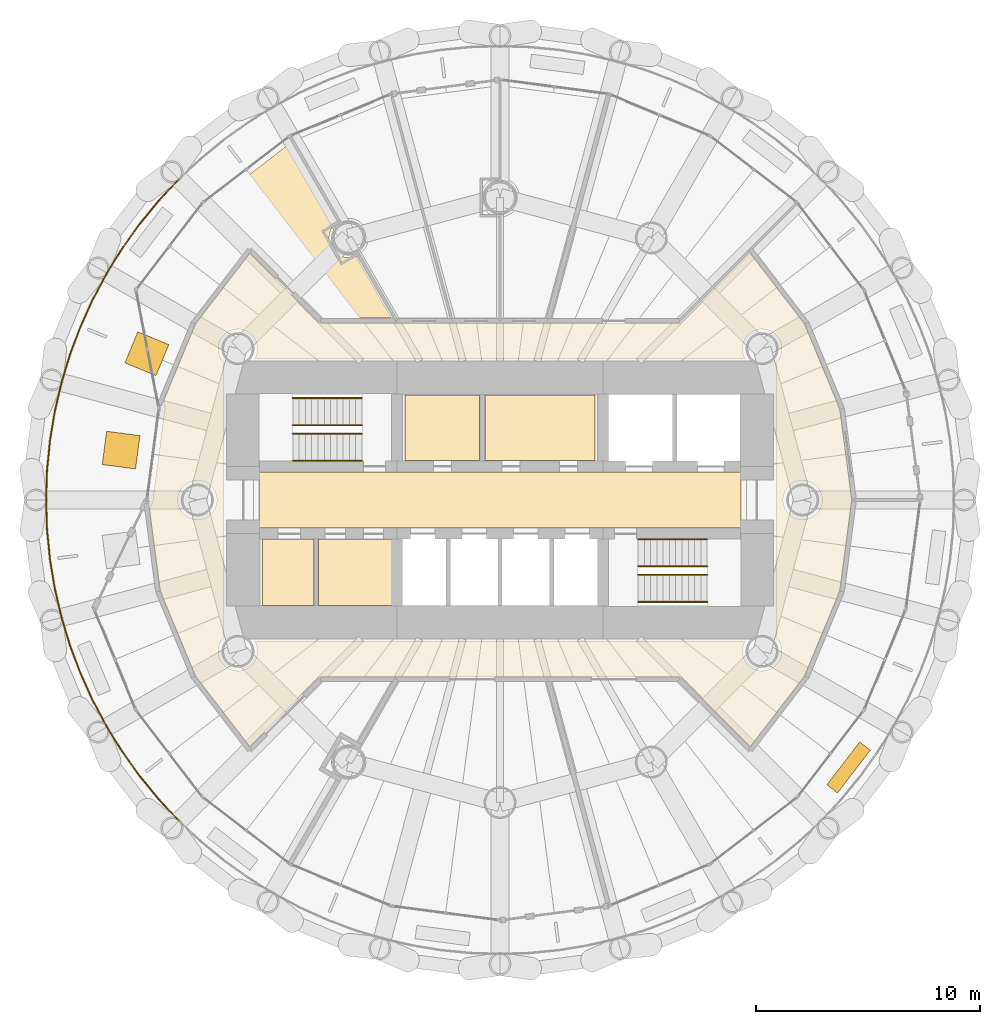
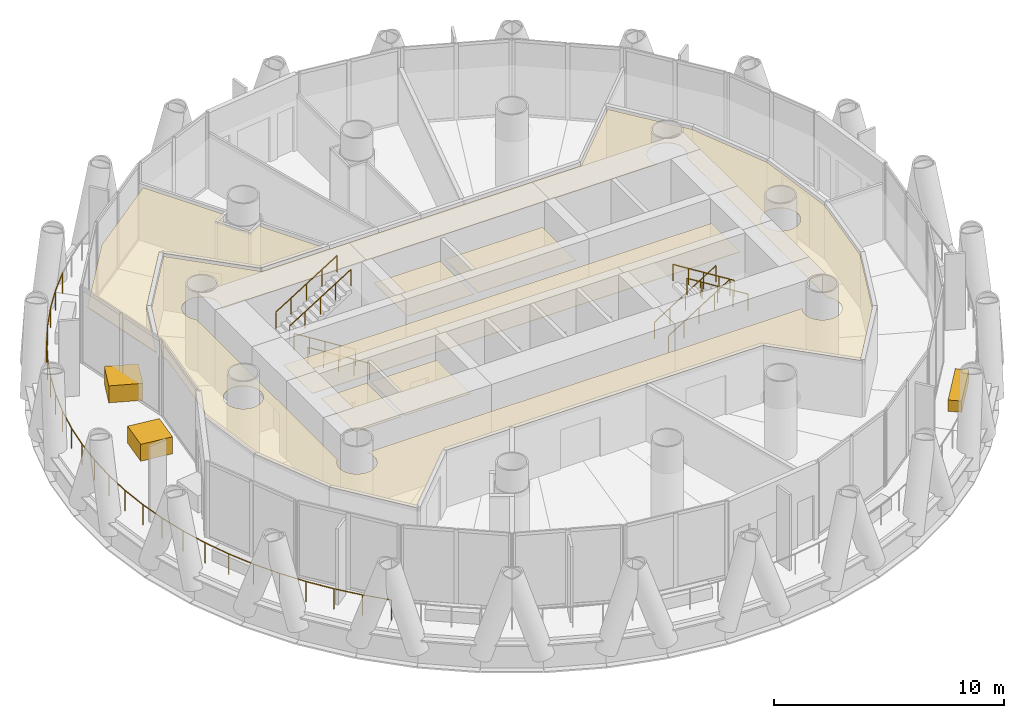
# One storey, part 13 of 15: 10 coverings, 9 railings.
"""IFC4 building model written with IfcOpenShell, lengths in metres."""

from ifc_helpers import new_model, si_unit, direction, frame, origin, origin_2d, place, context, subcontext, project, spatial, polyline, rectangle, circle, outline, extrude, material, layer, layer_set, type_object, element, save


model = new_model("IFC4")

# Units and contexts
model_context = context("Model", 3, precision=1e-05, world=origin(), true_north=direction((0.0, 1.0)))
body_context = subcontext(model_context, "Body", "Model", "MODEL_VIEW")
ifc_project = project(units=[si_unit("LENGTHUNIT", "METRE"), si_unit("AREAUNIT", "SQUARE_METRE"), si_unit("VOLUMEUNIT", "CUBIC_METRE"), si_unit("PLANEANGLEUNIT", "RADIAN"), si_unit("MASSUNIT", "GRAM", prefix="KILO")], contexts=[model_context])

# Site, building, storey
site_placement = place(None, origin())
site = spatial("IfcSite", under=ifc_project, at=site_placement, CompositionType="ELEMENT")
building_placement = place(site_placement, origin())
building = spatial("IfcBuilding", under=site, at=building_placement, Name="Qaws Media Tower", CompositionType="ELEMENT")
storey_placement = place(building_placement, frame((0.0, 0.0, 273.800048828125)))
storey = spatial("IfcBuildingStorey", under=building, at=storey_placement, Name="L63", CompositionType="ELEMENT", Elevation=273.800048828125)

# Covering
ifc_material_1 = material(Name="40 perforated acoustic panels with mineral wool backing, suspended", Category="mineral fibre")
ifc_layer_1 = layer(ifc_material_1, 0.0400390625)
ifc_layer_set_1 = layer_set([ifc_layer_1], Name="Acoustic panel ceiling 40")
covering_type_1 = type_object("IfcCoveringType", Name="Acoustic panel ceiling 40", PredefinedType="CEILING", material=ifc_layer_set_1)
covering_1_placement = place(storey_placement, frame((0.0, 0.0, 2.849853515625)))
element("IfcCovering", 1, at=covering_1_placement, inside=storey, type_object=covering_type_1, Name="CL3 ceiling L63-07 VIP interview room", PredefinedType="CEILING", context=body_context, shape_type="SweptSolid", body=[
    extrude(outline(polyline([(46.928955078125, 63.071044921875), (50.66748046875, 65.939697265625), (52.720703125, 62.383056640625), (52.634033203125, 62.30712890625), (52.55908203125, 62.2216796875), (52.49560546875, 62.126708984375), (52.4453125, 62.024658203125), (52.40869140625, 61.916748046875), (52.386474609375, 61.804931640625), (52.37890625, 61.69140625), (52.386474609375, 61.57763671875), (52.40869140625, 61.4658203125), (52.4453125, 61.35791015625), (52.49560546875, 61.255859375), (52.55908203125, 61.1611328125), (52.634033203125, 61.075439453125), (52.7197265625, 61.000244140625), (52.814453125, 60.93701171875), (52.916748046875, 60.88671875), (53.024658203125, 60.85009765625), (53.13623046875, 60.827880859375), (53.25, 60.8203125), (53.36376953125, 60.827880859375), (53.475341796875, 60.85009765625), (53.58447265625, 60.88720703125), (55.186279296875, 58.112548828125), (52.046630859375, 58.112548828125), (48.816650390625, 61.342529296875), (46.218505859375, 57.956787109375), (44.9130859375, 54.80517578125), (44.042236328125, 59.308837890625), (46.928955078125, 63.071044921875)])), origin(), (0.0, 0.0, 1.0), 0.0400390625),
])

# Railing
ifc_material_2 = material(Name="Stainless steel and glass guard", Category="steel")
railing_type_1 = type_object("IfcRailingType", Name="Balcony guard 1100", PredefinedType="GUARDRAIL", material=ifc_material_2)
railing_placement = place(storey_placement, frame((45.68115234375, 64.31884765625, 0.0)))
element("IfcRailing", 2, at=railing_placement, inside=storey, type_object=railing_type_1, Name="GR1 balcony guard L63-2", PredefinedType="GUARDRAIL", context=body_context, shape_type="SweptSolid", body=[
    extrude(circle(Radius=0.02392578125, at=origin_2d()), frame((0.0, 0.0, 1.076171875), z_axis=(-0.683702082512, -0.729761236548, 0.0), x_axis=(0.729761236548, -0.683702082512, 0.0)), (0.0, 0.0, 1.0), 1.3251953125),
    extrude(circle(Radius=0.02392578125, at=origin_2d()), frame((-0.906005859375, -0.967041015625, 1.076171875), z_axis=(-0.634330728024, -0.773061787624, 0.0), x_axis=(0.773061787624, -0.634330728024, 0.0)), (0.0, 0.0, 1.0), 1.3251953125),
    extrude(circle(Radius=0.02392578125, at=origin_2d()), frame((-1.74658203125, -1.991455078125, 1.076171875), z_axis=(-0.582405323972, -0.812898541399, 0.0), x_axis=(0.812898541399, -0.582405323972, 0.0)), (0.0, 0.0, 1.0), 1.324951171875),
    extrude(circle(Radius=0.02392578125, at=origin_2d()), frame((-2.518310546875, -3.068603515625, 1.076171875), z_axis=(-0.52819268128, -0.849124544129, 0.0), x_axis=(0.849124544129, -0.52819268128, 0.0)), (0.0, 0.0, 1.0), 1.3251953125),
    extrude(circle(Radius=0.02392578125, at=origin_2d()), frame((-3.21826171875, -4.19384765625, 1.076171875), z_axis=(-0.471295733288, -0.881975244429, 0.0), x_axis=(0.881975244429, -0.471295733288, 0.0)), (0.0, 0.0, 1.0), 1.3251953125),
    extrude(circle(Radius=0.02392578125, at=origin_2d()), frame((-3.8427734375, -5.362548828125, 1.076171875), z_axis=(-0.412692163403, -0.910870560654, 0.0), x_axis=(0.910870560654, -0.412692163403, 0.0)), (0.0, 0.0, 1.0), 1.3251953125),
    extrude(circle(Radius=0.02392578125, at=origin_2d()), frame((-4.3896484375, -6.569580078125, 1.076171875), z_axis=(-0.352253822045, -0.935904506269, 0.0), x_axis=(0.935904506269, -0.352253822045, 0.0)), (0.0, 0.0, 1.0), 1.3251953125),
    extrude(circle(Radius=0.02392578125, at=origin_2d()), frame((-4.8564453125, -7.809814453125, 1.076171875), z_axis=(-0.290355083771, -0.956918975321, 0.0), x_axis=(0.956918975321, -0.290355083771, 0.0)), (0.0, 0.0, 1.0), 1.3251953125),
    extrude(circle(Radius=0.02392578125, at=origin_2d()), frame((-5.2412109375, -9.077880859375, 1.076171875), z_axis=(-0.227025724606, -0.973888761804, 0.0), x_axis=(0.973888761804, -0.227025724606, 0.0)), (0.0, 0.0, 1.0), 1.324951171875),
    extrude(circle(Radius=0.02392578125, at=origin_2d()), frame((-5.5419921875, -10.3681640625, 1.076171875), z_axis=(-0.162845409119, -0.986651596425, 0.0), x_axis=(0.986651596425, -0.162845409119, 0.0)), (0.0, 0.0, 1.0), 1.3251953125),
    extrude(circle(Radius=0.02392578125, at=origin_2d()), frame((-5.7578125, -11.67578125, 1.076171875), z_axis=(-0.098025887106, -0.995183865151, 0.0), x_axis=(0.995183865151, -0.098025887106, 0.0)), (0.0, 0.0, 1.0), 1.324951171875),
    extrude(circle(Radius=0.02392578125, at=origin_2d()), frame((-5.8876953125, -12.994384765625, 1.076171875), z_axis=(-0.032793412525, -0.999462151407, 0.0), x_axis=(0.999462151407, -0.032793412525, 0.0)), (0.0, 0.0, 1.0), 1.3251953125),
    extrude(circle(Radius=0.02392578125, at=origin_2d()), frame((-5.93115234375, -14.31884765625, 1.076171875), z_axis=(0.032793412525, -0.999462151407, 0.0), x_axis=(0.999462151407, 0.032793412525, 0.0)), (0.0, 0.0, 1.0), 1.3251953125),
    extrude(circle(Radius=0.02392578125, at=origin_2d()), frame((-5.8876953125, -15.643310546875, 1.076171875), z_axis=(0.098025887106, -0.995183865151, 0.0), x_axis=(0.995183865151, 0.098025887106, 0.0)), (0.0, 0.0, 1.0), 1.324951171875),
    extrude(circle(Radius=0.02392578125, at=origin_2d()), frame((-5.7578125, -16.9619140625, 1.076171875), z_axis=(0.162845409119, -0.986651596425, 0.0), x_axis=(0.986651596425, 0.162845409119, 0.0)), (0.0, 0.0, 1.0), 1.3251953125),
    extrude(circle(Radius=0.02392578125, at=origin_2d()), frame((-5.5419921875, -18.26953125, 1.076171875), z_axis=(0.227025724606, -0.973888761804, 0.0), x_axis=(0.973888761804, 0.227025724606, 0.0)), (0.0, 0.0, 1.0), 1.324951171875),
    extrude(circle(Radius=0.02392578125, at=origin_2d()), frame((-5.2412109375, -19.559814453125, 1.076171875), z_axis=(0.290355083771, -0.956918975321, 0.0), x_axis=(0.956918975321, 0.290355083771, 0.0)), (0.0, 0.0, 1.0), 1.3251953125),
    extrude(circle(Radius=0.02392578125, at=origin_2d()), frame((-4.8564453125, -20.827880859375, 1.076171875), z_axis=(0.352253822045, -0.935904506269, 0.0), x_axis=(0.935904506269, 0.352253822045, 0.0)), (0.0, 0.0, 1.0), 1.3251953125),
    extrude(circle(Radius=0.02392578125, at=origin_2d()), frame((-4.3896484375, -22.068115234375, 1.076171875), z_axis=(0.412692163403, -0.910870560654, 0.0), x_axis=(0.910870560654, 0.412692163403, 0.0)), (0.0, 0.0, 1.0), 1.3251953125),
    extrude(circle(Radius=0.02392578125, at=origin_2d()), frame((-3.8427734375, -23.275146484375, 1.076171875), z_axis=(0.471295733288, -0.881975244429, 0.0), x_axis=(0.881975244429, 0.471295733288, 0.0)), (0.0, 0.0, 1.0), 1.3251953125),
    extrude(circle(Radius=0.02392578125, at=origin_2d()), frame((-3.21826171875, -24.44384765625, 1.076171875), z_axis=(0.52819268128, -0.849124544129, 0.0), x_axis=(0.849124544129, 0.52819268128, 0.0)), (0.0, 0.0, 1.0), 1.3251953125),
    extrude(circle(Radius=0.02392578125, at=origin_2d()), frame((-2.518310546875, -25.569091796875, 1.076171875), z_axis=(0.582405323972, -0.812898541399, 0.0), x_axis=(0.812898541399, 0.582405323972, 0.0)), (0.0, 0.0, 1.0), 1.324951171875),
    extrude(circle(Radius=0.02392578125, at=origin_2d()), frame((-1.74658203125, -26.646240234375, 1.076171875), z_axis=(0.634330728024, -0.773061787624, 0.0), x_axis=(0.773061787624, 0.634330728024, 0.0)), (0.0, 0.0, 1.0), 1.3251953125),
    extrude(circle(Radius=0.02392578125, at=origin_2d()), frame((-0.906005859375, -27.670654296875, 1.076171875), z_axis=(0.683702082512, -0.729761236548, 0.0), x_axis=(0.729761236548, 0.683702082512, 0.0)), (0.0, 0.0, 1.0), 1.3251953125),
    extrude(circle(Radius=0.02099609375, at=origin_2d()), origin(), (0.0, 0.0, 1.0), 1.052001953125),
    extrude(circle(Radius=0.02099609375, at=origin_2d()), frame((-0.906005859375, -0.967041015625, 0.0)), (0.0, 0.0, 1.0), 1.052001953125),
    extrude(circle(Radius=0.02099609375, at=origin_2d()), frame((-1.74658203125, -1.991455078125, 0.0)), (0.0, 0.0, 1.0), 1.052001953125),
    extrude(circle(Radius=0.02099609375, at=origin_2d()), frame((-2.518310546875, -3.068603515625, 0.0)), (0.0, 0.0, 1.0), 1.052001953125),
    extrude(circle(Radius=0.02099609375, at=origin_2d()), frame((-3.21826171875, -4.19384765625, 0.0)), (0.0, 0.0, 1.0), 1.052001953125),
    extrude(circle(Radius=0.02099609375, at=origin_2d()), frame((-3.8427734375, -5.362548828125, 0.0)), (0.0, 0.0, 1.0), 1.052001953125),
    extrude(circle(Radius=0.02099609375, at=origin_2d()), frame((-4.3896484375, -6.569580078125, 0.0)), (0.0, 0.0, 1.0), 1.052001953125),
    extrude(circle(Radius=0.02099609375, at=origin_2d()), frame((-4.8564453125, -7.809814453125, 0.0)), (0.0, 0.0, 1.0), 1.052001953125),
    extrude(circle(Radius=0.02099609375, at=origin_2d()), frame((-5.2412109375, -9.077880859375, 0.0)), (0.0, 0.0, 1.0), 1.052001953125),
    extrude(circle(Radius=0.02099609375, at=origin_2d()), frame((-5.5419921875, -10.3681640625, 0.0)), (0.0, 0.0, 1.0), 1.052001953125),
    extrude(circle(Radius=0.02099609375, at=origin_2d()), frame((-5.7578125, -11.67578125, 0.0)), (0.0, 0.0, 1.0), 1.052001953125),
    extrude(circle(Radius=0.02099609375, at=origin_2d()), frame((-5.8876953125, -12.994384765625, 0.0)), (0.0, 0.0, 1.0), 1.052001953125),
    extrude(circle(Radius=0.02099609375, at=origin_2d()), frame((-5.93115234375, -14.31884765625, 0.0)), (0.0, 0.0, 1.0), 1.052001953125),
    extrude(circle(Radius=0.02099609375, at=origin_2d()), frame((-5.8876953125, -15.643310546875, 0.0)), (0.0, 0.0, 1.0), 1.052001953125),
    extrude(circle(Radius=0.02099609375, at=origin_2d()), frame((-5.7578125, -16.9619140625, 0.0)), (0.0, 0.0, 1.0), 1.052001953125),
    extrude(circle(Radius=0.02099609375, at=origin_2d()), frame((-5.5419921875, -18.26953125, 0.0)), (0.0, 0.0, 1.0), 1.052001953125),
    extrude(circle(Radius=0.02099609375, at=origin_2d()), frame((-5.2412109375, -19.559814453125, 0.0)), (0.0, 0.0, 1.0), 1.052001953125),
    extrude(circle(Radius=0.02099609375, at=origin_2d()), frame((-4.8564453125, -20.827880859375, 0.0)), (0.0, 0.0, 1.0), 1.052001953125),
    extrude(circle(Radius=0.02099609375, at=origin_2d()), frame((-4.3896484375, -22.068115234375, 0.0)), (0.0, 0.0, 1.0), 1.052001953125),
    extrude(circle(Radius=0.02099609375, at=origin_2d()), frame((-3.8427734375, -23.275146484375, 0.0)), (0.0, 0.0, 1.0), 1.052001953125),
    extrude(circle(Radius=0.02099609375, at=origin_2d()), frame((-3.21826171875, -24.44384765625, 0.0)), (0.0, 0.0, 1.0), 1.052001953125),
    extrude(circle(Radius=0.02099609375, at=origin_2d()), frame((-2.518310546875, -25.569091796875, 0.0)), (0.0, 0.0, 1.0), 1.052001953125),
    extrude(circle(Radius=0.02099609375, at=origin_2d()), frame((-1.74658203125, -26.646240234375, 0.0)), (0.0, 0.0, 1.0), 1.052001953125),
    extrude(circle(Radius=0.02099609375, at=origin_2d()), frame((-0.906005859375, -27.670654296875, 0.0)), (0.0, 0.0, 1.0), 1.052001953125),
    extrude(circle(Radius=0.02099609375, at=origin_2d()), frame((0.0, -28.6376953125, 0.0)), (0.0, 0.0, 1.0), 1.052001953125),
])

# Coverings
ifc_material_3 = material(Name="600 x 600 mineral fibre tiles in exposed grid, suspended", Category="mineral fibre")
ifc_layer_2 = layer(ifc_material_3, 0.02001953125)
ifc_layer_set_2 = layer_set([ifc_layer_2], Name="Mineral fibre tile ceiling 20")
covering_type_2 = type_object("IfcCoveringType", Name="Mineral fibre tile ceiling 20", PredefinedType="CEILING", material=ifc_layer_set_2)
covering_2_placement = place(storey_placement, frame((0.0, 0.0, 2.849853515625)))
element("IfcCovering", 3, at=covering_2_placement, inside=storey, type_object=covering_type_2, Name="CL1 ceiling L63-C07 Ladies toilets", PredefinedType="CEILING", context=body_context, shape_type="SweptSolid", body=[
    extrude(outline(polyline([(55.77001953125, 51.77001953125), (55.77001953125, 54.679931640625), (59.089111328125, 54.679931640625), (59.089111328125, 51.77001953125), (55.77001953125, 51.77001953125)])), origin(), (0.0, 0.0, 1.0), 0.02001953125),
])
covering_3_placement = place(storey_placement, frame((0.0, 0.0, 2.849853515625)))
element("IfcCovering", 4, at=covering_3_placement, inside=storey, type_object=covering_type_2, Name="CL1 ceiling L63-C08 Gents toilets", PredefinedType="CEILING", context=body_context, shape_type="SweptSolid", body=[
    extrude(outline(polyline([(59.3291015625, 51.77001953125), (59.3291015625, 54.679931640625), (64.22998046875, 54.679931640625), (64.22998046875, 51.77001953125), (59.3291015625, 51.77001953125)])), origin(), (0.0, 0.0, 1.0), 0.02001953125),
])
covering_4_placement = place(storey_placement, frame((0.0, 0.0, 2.849853515625)))
element("IfcCovering", 5, at=covering_4_placement, inside=storey, type_object=covering_type_2, Name="CL1 ceiling L63-01 Corridor", PredefinedType="CEILING", context=body_context, shape_type="SweptSolid", body=[
    extrude(outline(polyline([(44.990478515625, 54.404296875), (46.4150390625, 57.84326171875), (48.8388671875, 61.001953125), (51.953369140625, 57.887451171875), (68.046630859375, 57.887451171875), (71.1611328125, 61.001953125), (73.5849609375, 57.84326171875), (75.152099609375, 54.06005859375), (75.6865234375, 50.0), (75.152099609375, 45.93994140625), (73.5849609375, 42.15673828125), (71.1611328125, 38.998046875), (68.046630859375, 42.112548828125), (51.953369140625, 42.112548828125), (48.8388671875, 38.998046875), (46.4150390625, 42.15673828125), (44.847900390625, 45.93994140625), (44.362060546875, 49.630615234375), (44.504638671875, 49.923583984375), (45.052490234375, 54.08447265625), (44.990478515625, 54.404296875)]), holes=[polyline([(49.0615234375, 56.3125), (49.11328125, 56.416748046875), (49.14990234375, 56.524658203125), (49.172119140625, 56.63623046875), (49.1796875, 56.75), (49.172119140625, 56.86376953125), (49.14990234375, 56.975341796875), (49.11328125, 57.083251953125), (49.06298828125, 57.185546875), (48.999755859375, 57.2802734375), (48.924560546875, 57.365966796875), (48.8388671875, 57.44091796875), (48.744140625, 57.50439453125), (48.64208984375, 57.5546875), (48.5341796875, 57.59130859375), (48.42236328125, 57.613525390625), (48.30859375, 57.62109375), (48.195068359375, 57.613525390625), (48.083251953125, 57.59130859375), (47.975341796875, 57.5546875), (47.873291015625, 57.50439453125), (47.7783203125, 57.44091796875), (47.69287109375, 57.365966796875), (47.61767578125, 57.2802734375), (47.55419921875, 57.185546875), (47.50390625, 57.083251953125), (47.46728515625, 56.975341796875), (47.445068359375, 56.86376953125), (47.437744140625, 56.75), (47.445068359375, 56.63623046875), (47.46728515625, 56.524658203125), (47.50390625, 56.416748046875), (47.55419921875, 56.314453125), (47.61767578125, 56.2197265625), (47.6875, 56.14013671875), (47.6875, 43.85986328125), (47.61767578125, 43.7802734375), (47.55419921875, 43.685546875), (47.50390625, 43.583251953125), (47.46728515625, 43.475341796875), (47.445068359375, 43.36376953125), (47.437744140625, 43.25), (47.445068359375, 43.13623046875), (47.46728515625, 43.024658203125), (47.50390625, 42.916748046875), (47.55419921875, 42.814453125), (47.61767578125, 42.7197265625), (47.69287109375, 42.634033203125), (47.7783203125, 42.55908203125), (47.873291015625, 42.49560546875), (47.975341796875, 42.4453125), (48.083251953125, 42.40869140625), (48.195068359375, 42.386474609375), (48.30859375, 42.37890625), (48.42236328125, 42.386474609375), (48.5341796875, 42.40869140625), (48.64208984375, 42.4453125), (48.744140625, 42.49560546875), (48.8388671875, 42.55908203125), (48.924560546875, 42.634033203125), (48.999755859375, 42.7197265625), (49.06298828125, 42.814453125), (49.11328125, 42.916748046875), (49.14990234375, 43.024658203125), (49.172119140625, 43.13623046875), (49.1796875, 43.25), (49.172119140625, 43.36376953125), (49.14990234375, 43.475341796875), (49.11328125, 43.583251953125), (49.0615234375, 43.6875), (70.9384765625, 43.6875), (70.88671875, 43.583251953125), (70.85009765625, 43.475341796875), (70.827880859375, 43.36376953125), (70.8203125, 43.25), (70.827880859375, 43.13623046875), (70.85009765625, 43.024658203125), (70.88671875, 42.916748046875), (70.93701171875, 42.814453125), (71.000244140625, 42.7197265625), (71.075439453125, 42.634033203125), (71.1611328125, 42.55908203125), (71.255859375, 42.49560546875), (71.35791015625, 42.4453125), (71.4658203125, 42.40869140625), (71.57763671875, 42.386474609375), (71.69140625, 42.37890625), (71.804931640625, 42.386474609375), (71.916748046875, 42.40869140625), (72.024658203125, 42.4453125), (72.126708984375, 42.49560546875), (72.2216796875, 42.55908203125), (72.30712890625, 42.634033203125), (72.38232421875, 42.7197265625), (72.44580078125, 42.814453125), (72.49609375, 42.916748046875), (72.53271484375, 43.024658203125), (72.554931640625, 43.13623046875), (72.562255859375, 43.25), (72.554931640625, 43.36376953125), (72.53271484375, 43.475341796875), (72.49609375, 43.583251953125), (72.44580078125, 43.685546875), (72.38232421875, 43.7802734375), (72.3125, 43.85986328125), (72.3125, 56.14013671875), (72.38232421875, 56.2197265625), (72.44580078125, 56.314453125), (72.49609375, 56.416748046875), (72.53271484375, 56.524658203125), (72.554931640625, 56.63623046875), (72.562255859375, 56.75), (72.554931640625, 56.86376953125), (72.53271484375, 56.975341796875), (72.49609375, 57.083251953125), (72.44580078125, 57.185546875), (72.38232421875, 57.2802734375), (72.30712890625, 57.365966796875), (72.2216796875, 57.44091796875), (72.126708984375, 57.50439453125), (72.024658203125, 57.5546875), (71.916748046875, 57.59130859375), (71.804931640625, 57.613525390625), (71.69140625, 57.62109375), (71.57763671875, 57.613525390625), (71.4658203125, 57.59130859375), (71.35791015625, 57.5546875), (71.255859375, 57.50439453125), (71.1611328125, 57.44091796875), (71.075439453125, 57.365966796875), (71.000244140625, 57.2802734375), (70.93701171875, 57.185546875), (70.88671875, 57.083251953125), (70.85009765625, 56.975341796875), (70.827880859375, 56.86376953125), (70.8203125, 56.75), (70.827880859375, 56.63623046875), (70.85009765625, 56.524658203125), (70.88671875, 56.416748046875), (70.9384765625, 56.3125), (49.0615234375, 56.3125)]), polyline([(47.3046875, 49.666748046875), (47.34130859375, 49.774658203125), (47.363525390625, 49.88623046875), (47.37109375, 50.0), (47.363525390625, 50.11376953125), (47.34130859375, 50.225341796875), (47.3046875, 50.333251953125), (47.25439453125, 50.435546875), (47.19091796875, 50.5302734375), (47.115966796875, 50.615966796875), (47.0302734375, 50.69091796875), (46.935546875, 50.75439453125), (46.833251953125, 50.8046875), (46.725341796875, 50.84130859375), (46.61376953125, 50.863525390625), (46.5, 50.87109375), (46.38623046875, 50.863525390625), (46.274658203125, 50.84130859375), (46.166748046875, 50.8046875), (46.064453125, 50.75439453125), (45.9697265625, 50.69091796875), (45.884033203125, 50.615966796875), (45.80908203125, 50.5302734375), (45.74560546875, 50.435546875), (45.6953125, 50.333251953125), (45.65869140625, 50.225341796875), (45.636474609375, 50.11376953125), (45.62890625, 50.0), (45.636474609375, 49.88623046875), (45.65869140625, 49.774658203125), (45.6953125, 49.666748046875), (45.74560546875, 49.564453125), (45.80908203125, 49.4697265625), (45.884033203125, 49.384033203125), (45.9697265625, 49.30908203125), (46.064453125, 49.24560546875), (46.166748046875, 49.1953125), (46.274658203125, 49.15869140625), (46.38623046875, 49.136474609375), (46.5, 49.12890625), (46.61376953125, 49.136474609375), (46.725341796875, 49.15869140625), (46.833251953125, 49.1953125), (46.935546875, 49.24560546875), (47.0302734375, 49.30908203125), (47.115966796875, 49.384033203125), (47.19091796875, 49.4697265625), (47.25439453125, 49.564453125), (47.3046875, 49.666748046875)]), polyline([(74.34130859375, 49.774658203125), (74.363525390625, 49.88623046875), (74.37109375, 50.0), (74.363525390625, 50.11376953125), (74.34130859375, 50.225341796875), (74.3046875, 50.333251953125), (74.25439453125, 50.435546875), (74.19091796875, 50.5302734375), (74.115966796875, 50.615966796875), (74.0302734375, 50.69091796875), (73.935546875, 50.75439453125), (73.833251953125, 50.8046875), (73.725341796875, 50.84130859375), (73.61376953125, 50.863525390625), (73.5, 50.87109375), (73.38623046875, 50.863525390625), (73.274658203125, 50.84130859375), (73.166748046875, 50.8046875), (73.064453125, 50.75439453125), (72.9697265625, 50.69091796875), (72.884033203125, 50.615966796875), (72.80908203125, 50.5302734375), (72.74560546875, 50.435546875), (72.6953125, 50.333251953125), (72.65869140625, 50.225341796875), (72.636474609375, 50.11376953125), (72.62890625, 50.0), (72.636474609375, 49.88623046875), (72.65869140625, 49.774658203125), (72.6953125, 49.666748046875), (72.74560546875, 49.564453125), (72.80908203125, 49.4697265625), (72.884033203125, 49.384033203125), (72.9697265625, 49.30908203125), (73.064453125, 49.24560546875), (73.166748046875, 49.1953125), (73.274658203125, 49.15869140625), (73.38623046875, 49.136474609375), (73.5, 49.12890625), (73.61376953125, 49.136474609375), (73.725341796875, 49.15869140625), (73.833251953125, 49.1953125), (73.935546875, 49.24560546875), (74.0302734375, 49.30908203125), (74.115966796875, 49.384033203125), (74.19091796875, 49.4697265625), (74.25439453125, 49.564453125), (74.3046875, 49.666748046875), (74.34130859375, 49.774658203125)])]), origin(), (0.0, 0.0, 1.0), 0.02001953125),
])
covering_5_placement = place(storey_placement, frame((0.0, 0.0, 2.849853515625)))
element("IfcCovering", 6, at=covering_5_placement, inside=storey, type_object=covering_type_2, Name="CL1 ceiling L63-C05 First aid room", PredefinedType="CEILING", context=body_context, shape_type="SweptSolid", body=[
    extrude(outline(polyline([(51.89990234375, 45.300048828125), (51.89990234375, 48.25), (55.199951171875, 48.25), (55.199951171875, 45.300048828125), (51.89990234375, 45.300048828125)])), origin(), (0.0, 0.0, 1.0), 0.02001953125),
])
ifc_material_4 = material(Name="Precast concrete planter with trailing planting", Category="concrete")
ifc_layer_3 = layer(ifc_material_4, 0.60009765625)
ifc_layer_set_3 = layer_set([ifc_layer_3], Name="Planter 2400x600")
covering_type_3 = type_object("IfcCoveringType", Name="Planter 2400x600", PredefinedType="USERDEFINED", material=ifc_layer_set_3)
covering_6_placement = place(storey_placement, frame((75.5498046875, 38.068359375, 0.0), z_axis=(0.0, 0.0, 1.0), x_axis=(0.608761429009, 0.793353340291, 0.0)))
element("IfcCovering", 7, at=covering_6_placement, inside=storey, type_object=covering_type_3, Name="PL1 balcony planter L63-11", ObjectType="PLANTER", PredefinedType="USERDEFINED", context=body_context, shape_type="SweptSolid", body=[
    extrude(rectangle(XDim=2.39990234375, YDim=0.60009765625, at=origin_2d()), origin(), (0.0, 0.0, 1.0), 0.60009765625),
])
ifc_material_5 = material(Name="Two layers 12.5 moisture-resistant plasterboard on suspended metal furring", Category="gypsum")
ifc_layer_4 = layer(ifc_material_5, 0.02490234375)
ifc_layer_set_4 = layer_set([ifc_layer_4], Name="Plasterboard ceiling 25")
covering_type_4 = type_object("IfcCoveringType", Name="Plasterboard ceiling 25", PredefinedType="CEILING", material=ifc_layer_set_4)
covering_7_placement = place(storey_placement, frame((0.0, 0.0, 2.849853515625)))
element("IfcCovering", 8, at=covering_7_placement, inside=storey, type_object=covering_type_4, Name="CL2 ceiling L63-C01 Lift lobby", PredefinedType="CEILING", context=body_context, shape_type="SweptSolid", body=[
    extrude(outline(polyline([(49.25, 48.75), (49.25, 51.25), (70.75, 51.25), (70.75, 48.75), (49.25, 48.75)])), origin(), (0.0, 0.0, 1.0), 0.025146484375),
])
covering_8_placement = place(storey_placement, frame((0.0, 0.0, 2.849853515625)))
element("IfcCovering", 9, at=covering_8_placement, inside=storey, type_object=covering_type_4, Name="CL2 ceiling L63-C04 Accessible WC", PredefinedType="CEILING", context=body_context, shape_type="SweptSolid", body=[
    extrude(outline(polyline([(49.39990234375, 45.300048828125), (49.39990234375, 48.25), (51.699951171875, 48.25), (51.699951171875, 45.300048828125), (49.39990234375, 45.300048828125)])), origin(), (0.0, 0.0, 1.0), 0.025146484375),
])

# Railings
ifc_material_6 = material(Name="Steel tube handrail", Category="steel")
railing_type_2 = type_object("IfcRailingType", Name="Stair handrail 900", PredefinedType="HANDRAIL", material=ifc_material_6)
for number, where, name in (
    (10, (53.840087890625, 51.75, 0.175048828125), "HR1 handrail S1 flight 1 L63"),
    (11, (53.840087890625, 52.9599609375, 0.175048828125), "HR1 handrail S1 flight 1 L63"),
):
    element("IfcRailing", number, at=place(storey_placement, frame(where)), inside=storey, type_object=railing_type_2, Name=name, PredefinedType="HANDRAIL", context=body_context, shape_type="SweptSolid", body=[
        extrude(circle(Radius=0.02392578125, at=origin_2d()), frame((0.0, 0.0, 0.8759765625), z_axis=(-0.848028513186, 0.0, 0.529950602248), x_axis=(0.0, -1.0, 0.0)), (0.0, 0.0, 1.0), 3.632080078125),
        extrude(circle(Radius=0.02099609375, at=origin_2d()), origin(), (0.0, 0.0, 1.0), 0.851806640625),
        extrude(circle(Radius=0.02099609375, at=origin_2d()), frame((-0.77001953125, 0.0, 0.481201171875)), (0.0, 0.0, 1.0), 0.851806640625),
        extrude(circle(Radius=0.02099609375, at=origin_2d()), frame((-1.5400390625, 0.0, 0.96240234375)), (0.0, 0.0, 1.0), 0.851806640625),
        extrude(circle(Radius=0.02099609375, at=origin_2d()), frame((-2.31005859375, 0.0, 1.443603515625)), (0.0, 0.0, 1.0), 0.851806640625),
        extrude(circle(Radius=0.02099609375, at=origin_2d()), frame((-3.080078125, 0.0, 1.9248046875)), (0.0, 0.0, 1.0), 0.851806640625),
    ])
for number, where, name in (
    (12, (50.760009765625, 54.550048828125, 2.27490234375), "HR1 handrail S1 flight 2 L63"),
    (13, (50.760009765625, 53.340087890625, 2.27490234375), "HR1 handrail S1 flight 2 L63"),
):
    element("IfcRailing", number, at=place(storey_placement, frame(where)), inside=storey, type_object=railing_type_2, Name=name, PredefinedType="HANDRAIL", context=body_context, shape_type="SweptSolid", body=[
        extrude(circle(Radius=0.02392578125, at=origin_2d()), frame((0.0, 0.0, 0.8759765625), z_axis=(0.847998304005, 0.0, 0.529998940003), x_axis=(0.0, 1.0, 0.0)), (0.0, 0.0, 1.0), 3.632080078125),
        extrude(circle(Radius=0.02099609375, at=origin_2d()), origin(), (0.0, 0.0, 1.0), 0.851806640625),
        extrude(circle(Radius=0.02099609375, at=origin_2d()), frame((0.77001953125, 0.0, 0.481201171875)), (0.0, 0.0, 1.0), 0.851806640625),
        extrude(circle(Radius=0.02099609375, at=origin_2d()), frame((1.5400390625, 0.0, 0.96240234375)), (0.0, 0.0, 1.0), 0.851806640625),
        extrude(circle(Radius=0.02099609375, at=origin_2d()), frame((2.31005859375, 0.0, 1.44384765625)), (0.0, 0.0, 1.0), 0.851806640625),
        extrude(circle(Radius=0.02099609375, at=origin_2d()), frame((3.080078125, 0.0, 1.925048828125)), (0.0, 0.0, 1.0), 0.851806640625),
    ])
for number, where, name in (
    (14, (66.159912109375, 48.25, 0.175048828125), "HR1 handrail S2 flight 1 L63"),
    (15, (66.159912109375, 47.0400390625, 0.175048828125), "HR1 handrail S2 flight 1 L63"),
):
    element("IfcRailing", number, at=place(storey_placement, frame(where)), inside=storey, type_object=railing_type_2, Name=name, PredefinedType="HANDRAIL", context=body_context, shape_type="SweptSolid", body=[
        extrude(circle(Radius=0.02392578125, at=origin_2d()), frame((0.0, 0.0, 0.8759765625), z_axis=(0.848028513186, 0.0, 0.529950602248), x_axis=(0.0, 1.0, 0.0)), (0.0, 0.0, 1.0), 3.632080078125),
        extrude(circle(Radius=0.02099609375, at=origin_2d()), origin(), (0.0, 0.0, 1.0), 0.851806640625),
        extrude(circle(Radius=0.02099609375, at=origin_2d()), frame((0.77001953125, 0.0, 0.481201171875)), (0.0, 0.0, 1.0), 0.851806640625),
        extrude(circle(Radius=0.02099609375, at=origin_2d()), frame((1.5400390625, 0.0, 0.96240234375)), (0.0, 0.0, 1.0), 0.851806640625),
        extrude(circle(Radius=0.02099609375, at=origin_2d()), frame((2.31005859375, 0.0, 1.443603515625)), (0.0, 0.0, 1.0), 0.851806640625),
        extrude(circle(Radius=0.02099609375, at=origin_2d()), frame((3.080078125, 0.0, 1.9248046875)), (0.0, 0.0, 1.0), 0.851806640625),
    ])
for number, where, name in (
    (16, (69.239990234375, 45.449951171875, 2.27490234375), "HR1 handrail S2 flight 2 L63"),
    (17, (69.239990234375, 46.659912109375, 2.27490234375), "HR1 handrail S2 flight 2 L63"),
):
    element("IfcRailing", number, at=place(storey_placement, frame(where)), inside=storey, type_object=railing_type_2, Name=name, PredefinedType="HANDRAIL", context=body_context, shape_type="SweptSolid", body=[
        extrude(circle(Radius=0.02392578125, at=origin_2d()), frame((0.0, 0.0, 0.8759765625), z_axis=(-0.847998304005, 0.0, 0.529998940003), x_axis=(0.0, -1.0, 0.0)), (0.0, 0.0, 1.0), 3.632080078125),
        extrude(circle(Radius=0.02099609375, at=origin_2d()), origin(), (0.0, 0.0, 1.0), 0.851806640625),
        extrude(circle(Radius=0.02099609375, at=origin_2d()), frame((-0.77001953125, 0.0, 0.481201171875)), (0.0, 0.0, 1.0), 0.851806640625),
        extrude(circle(Radius=0.02099609375, at=origin_2d()), frame((-1.5400390625, 0.0, 0.96240234375)), (0.0, 0.0, 1.0), 0.851806640625),
        extrude(circle(Radius=0.02099609375, at=origin_2d()), frame((-2.31005859375, 0.0, 1.44384765625)), (0.0, 0.0, 1.0), 0.851806640625),
        extrude(circle(Radius=0.02099609375, at=origin_2d()), frame((-3.080078125, 0.0, 1.925048828125)), (0.0, 0.0, 1.0), 0.851806640625),
    ])

# Coverings
ifc_material_7 = material(Name="Precast concrete tree planter", Category="concrete")
ifc_layer_5 = layer(ifc_material_7, 0.89990234375)
ifc_layer_set_5 = layer_set([ifc_layer_5], Name="Tree planter 1500")
covering_type_5 = type_object("IfcCoveringType", Name="Tree planter 1500", PredefinedType="USERDEFINED", material=ifc_layer_set_5)
for number, where, z_axis, x_axis, name in (
    (18, (44.247802734375, 56.524658203125, 0.0), (0.0, 0.0, 1.0), (-0.923879532511, 0.382683432365, 0.0), "PL2 sky garden tree planter L63-1"),
    (19, (43.095947265625, 52.2255859375, 0.0), (0.0, 0.0, 1.0), (-0.991444861374, 0.13052619222, 0.0), "PL2 sky garden tree planter L63-2"),
):
    element("IfcCovering", number, at=place(storey_placement, frame(where, z_axis=z_axis, x_axis=x_axis)), inside=storey, type_object=covering_type_5, Name=name, ObjectType="PLANTER", PredefinedType="USERDEFINED", context=body_context, shape_type="SweptSolid", body=[
        extrude(rectangle(XDim=1.5, YDim=1.5, at=origin_2d()), origin(), (0.0, 0.0, 1.0), 0.89990234375),
    ])

save(model, "model.ifc")
